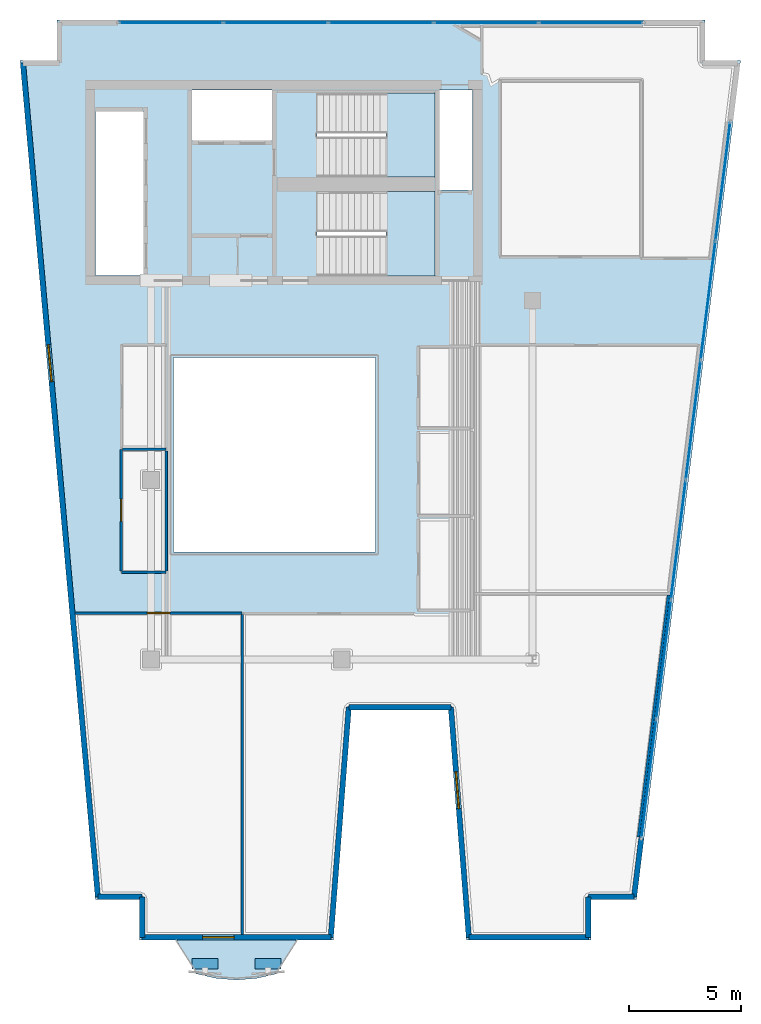
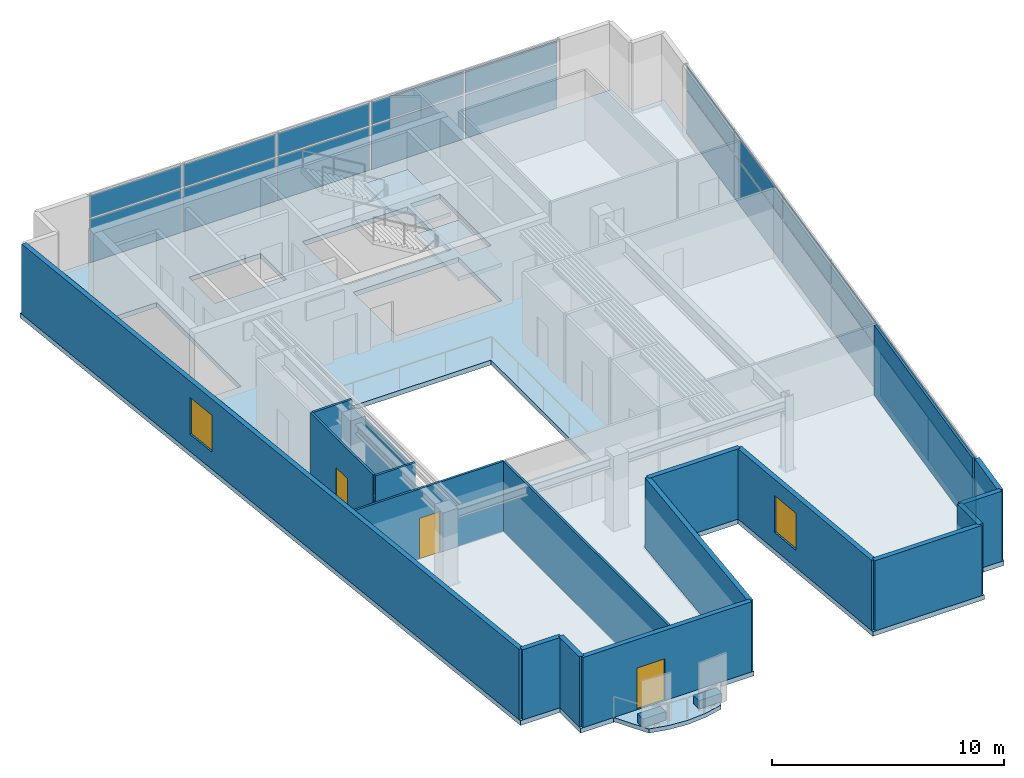
# One storey, part 3 of 7: 24 plates, 18 walls, 4 slabs, 3 doors, 2 windows, 5 openings, 4 elements without a shape of their own.
"""IFC4 building model written with IfcOpenShell, lengths in metres."""

from ifc_helpers import new_model, si_unit, direction, frame, frame_2d, origin, origin_2d, place, context, subcontext, project, spatial, polyline, rectangle, outline, extrude, material, layer, layer_set, type_object, element, fill, aggregate, save


model = new_model("IFC4")

# Units and contexts
model_context = context("Model", 3, precision=1e-05, world=origin(), true_north=direction((0.0, 1.0)))
body_context = subcontext(model_context, "Body", "Model", "MODEL_VIEW")
ifc_project = project(units=[si_unit("LENGTHUNIT", "METRE"), si_unit("AREAUNIT", "SQUARE_METRE"), si_unit("VOLUMEUNIT", "CUBIC_METRE"), si_unit("PLANEANGLEUNIT", "RADIAN"), si_unit("MASSUNIT", "GRAM", prefix="KILO")], contexts=[model_context])

# Site, building, storey
site_placement = place(None, origin())
site = spatial("IfcSite", under=ifc_project, at=site_placement, CompositionType="ELEMENT")
building_placement = place(site_placement, origin())
building = spatial("IfcBuilding", under=site, at=building_placement, Name="Caeloran Harvest Quay", CompositionType="ELEMENT")
storey_placement = place(building_placement, frame((0.0, 0.0, 264.60009765625)))
storey = spatial("IfcBuildingStorey", under=building, at=storey_placement, Name="L63", CompositionType="ELEMENT", Elevation=264.60009765625)

# Slab
ifc_material_1 = material(Name="Concrete C50/60", Category="concrete")
ifc_layer_1 = layer(ifc_material_1, 0.219970703125, Name="Concrete C50/60")
ifc_layer_set_1 = layer_set([ifc_layer_1], Name="Concrete C50/60")
slab_type_1 = type_object("IfcSlabType", Name="BALCONY-BL-220", PredefinedType="FLOOR", material=ifc_layer_set_1)
slab_1_placement = place(storey_placement, frame((0.0, 0.0, -0.22021484375)))
element("IfcSlab", 1, at=slab_1_placement, inside=storey, type_object=slab_type_1, Name="L63 Scalloped Cantilevered Planted Balcony Slab", PredefinedType="FLOOR", context=body_context, shape_type="SweptSolid", body=[
    extrude(outline(polyline([(14.103515625, 0.992919921875), (13.20654296875, 0.789794921875), (12.3095703125, 0.7158203125), (11.41259765625, 0.789794921875), (10.515380859375, 0.992919921875), (9.630126953125, 2.5), (14.98876953125, 2.5), (14.103515625, 0.992919921875)])), origin(), (0.0, 0.0, 1.0), 0.22021484375),
])

# Curtain wall, plates
ifc_material_2 = material(Name="Aluminium 6063-T6 and Low-E Glazing", Category="aluminium")
ifc_layer_2 = layer(ifc_material_2, 0.219970703125, Name="Aluminium 6063-T6 and Low-E Glazing")
ifc_layer_set_2 = layer_set([ifc_layer_2], Name="Aluminium 6063-T6 and Low-E Glazing")
curtain_wall_type = type_object("IfcCurtainWallType", Name="CW-SYS-CW-5", PredefinedType="USERDEFINED", material=ifc_layer_set_2)
curtain_wall_1_placement = place(storey_placement, origin())
curtain_wall_1 = element("IfcCurtainWall", 2, at=curtain_wall_1_placement, inside=storey, type_object=curtain_wall_type, Name="L63 Unitised Curtain Wall CW-5 Run 6", ObjectType="CURTAIN_WALL", PredefinedType="USERDEFINED")
ifc_material_3 = material(Name="Low-E Double Glazed Vision Glass Unit", Category="glass")
ifc_layer_3 = layer(ifc_material_3, 0.035888671875, Name="Low-E Double Glazed Vision Glass Unit")
ifc_layer_set_3 = layer_set([ifc_layer_3], Name="Low-E Double Glazed Vision Glass Unit")
plate_type_1 = type_object("IfcPlateType", Name="CW-VISION-PANEL", PredefinedType="CURTAIN_PANEL", material=ifc_layer_set_3)
plate_1_placement = place(storey_placement, frame((9.385986328125, 43.3798828125, 0.080078125), z_axis=(0.0, 0.0, 1.0), x_axis=(1.0, 0.0, 0.0)))
plate_1 = element("IfcPlate", 3, at=plate_1_placement, type_object=plate_type_1, Name="CW-5 panel 1.1", PredefinedType="CURTAIN_PANEL", context=body_context, shape_type="SweptSolid", body=[
    extrude(rectangle(XDim=4.572021484375, YDim=0.035888671875, at=origin_2d()), origin(), (0.0, 0.0, 1.0), 2.280029296875),
])
plate_2_placement = place(storey_placement, frame((9.385986328125, 43.3798828125, 2.43994140625), z_axis=(0.0, 0.0, 1.0), x_axis=(1.0, 0.0, 0.0)))
plate_2 = element("IfcPlate", 4, at=plate_2_placement, type_object=plate_type_1, Name="CW-5 panel 1.2", PredefinedType="CURTAIN_PANEL", context=body_context, shape_type="SweptSolid", body=[
    extrude(rectangle(XDim=4.572021484375, YDim=0.035888671875, at=origin_2d()), origin(), (0.0, 0.0, 1.0), 1.179931640625),
])
plate_3_placement = place(storey_placement, frame((14.05810546875, 43.3798828125, 0.080078125), z_axis=(0.0, 0.0, 1.0), x_axis=(1.0, 0.0, 0.0)))
plate_3 = element("IfcPlate", 5, at=plate_3_placement, type_object=plate_type_1, Name="CW-5 panel 2.1", PredefinedType="CURTAIN_PANEL", context=body_context, shape_type="SweptSolid", body=[
    extrude(rectangle(XDim=4.612060546875, YDim=0.035888671875, at=origin_2d()), origin(), (0.0, 0.0, 1.0), 2.280029296875),
])
plate_4_placement = place(storey_placement, frame((14.05810546875, 43.3798828125, 2.43994140625), z_axis=(0.0, 0.0, 1.0), x_axis=(1.0, 0.0, 0.0)))
plate_4 = element("IfcPlate", 6, at=plate_4_placement, type_object=plate_type_1, Name="CW-5 panel 2.2", PredefinedType="CURTAIN_PANEL", context=body_context, shape_type="SweptSolid", body=[
    extrude(rectangle(XDim=4.612060546875, YDim=0.035888671875, at=origin_2d()), origin(), (0.0, 0.0, 1.0), 1.179931640625),
])
plate_5_placement = place(storey_placement, frame((18.75, 43.3798828125, 0.080078125), z_axis=(0.0, 0.0, 1.0), x_axis=(1.0, 0.0, 0.0)))
plate_5 = element("IfcPlate", 7, at=plate_5_placement, type_object=plate_type_1, Name="CW-5 panel 3.1", PredefinedType="CURTAIN_PANEL", context=body_context, shape_type="SweptSolid", body=[
    extrude(rectangle(XDim=4.612060546875, YDim=0.035888671875, at=origin_2d()), origin(), (0.0, 0.0, 1.0), 2.280029296875),
])
plate_6_placement = place(storey_placement, frame((18.75, 43.3798828125, 2.43994140625), z_axis=(0.0, 0.0, 1.0), x_axis=(1.0, 0.0, 0.0)))
plate_6 = element("IfcPlate", 8, at=plate_6_placement, type_object=plate_type_1, Name="CW-5 panel 3.2", PredefinedType="CURTAIN_PANEL", context=body_context, shape_type="SweptSolid", body=[
    extrude(rectangle(XDim=4.612060546875, YDim=0.035888671875, at=origin_2d()), origin(), (0.0, 0.0, 1.0), 1.179931640625),
])
plate_7_placement = place(storey_placement, frame((23.44189453125, 43.3798828125, 0.080078125), z_axis=(0.0, 0.0, 1.0), x_axis=(1.0, 0.0, 0.0)))
plate_7 = element("IfcPlate", 9, at=plate_7_placement, type_object=plate_type_1, Name="CW-5 panel 4.1", PredefinedType="CURTAIN_PANEL", context=body_context, shape_type="SweptSolid", body=[
    extrude(rectangle(XDim=4.612060546875, YDim=0.035888671875, at=origin_2d()), origin(), (0.0, 0.0, 1.0), 2.280029296875),
])
plate_8_placement = place(storey_placement, frame((23.44189453125, 43.3798828125, 2.43994140625), z_axis=(0.0, 0.0, 1.0), x_axis=(1.0, 0.0, 0.0)))
plate_8 = element("IfcPlate", 10, at=plate_8_placement, type_object=plate_type_1, Name="CW-5 panel 4.2", PredefinedType="CURTAIN_PANEL", context=body_context, shape_type="SweptSolid", body=[
    extrude(rectangle(XDim=4.612060546875, YDim=0.035888671875, at=origin_2d()), origin(), (0.0, 0.0, 1.0), 1.179931640625),
])
plate_9_placement = place(storey_placement, frame((28.114013671875, 43.3798828125, 0.080078125), z_axis=(0.0, 0.0, 1.0), x_axis=(1.0, 0.0, 0.0)))
plate_9 = element("IfcPlate", 11, at=plate_9_placement, type_object=plate_type_1, Name="CW-5 panel 5.1", PredefinedType="CURTAIN_PANEL", context=body_context, shape_type="SweptSolid", body=[
    extrude(rectangle(XDim=4.572021484375, YDim=0.035888671875, at=origin_2d()), origin(), (0.0, 0.0, 1.0), 2.280029296875),
])
plate_10_placement = place(storey_placement, frame((28.114013671875, 43.3798828125, 2.43994140625), z_axis=(0.0, 0.0, 1.0), x_axis=(1.0, 0.0, 0.0)))
plate_10 = element("IfcPlate", 12, at=plate_10_placement, type_object=plate_type_1, Name="CW-5 panel 5.2", PredefinedType="CURTAIN_PANEL", context=body_context, shape_type="SweptSolid", body=[
    extrude(rectangle(XDim=4.572021484375, YDim=0.035888671875, at=origin_2d()), origin(), (0.0, 0.0, 1.0), 1.179931640625),
])
aggregate(curtain_wall_1, [plate_1, plate_2, plate_3, plate_4, plate_5, plate_6, plate_7, plate_8, plate_9, plate_10])

curtain_wall_2_placement = place(storey_placement, origin())
curtain_wall_2 = element("IfcCurtainWall", 13, at=curtain_wall_2_placement, inside=storey, type_object=curtain_wall_type, Name="L63 Unitised Curtain Wall CW-5 Run 9", ObjectType="CURTAIN_WALL", PredefinedType="USERDEFINED")
plate_11_placement = place(storey_placement, frame((33.987060546875, 36.313232421875, 0.080078125), z_axis=(0.0, 0.0, 1.0), x_axis=(-0.123190390176, -0.992383054958, 0.0)))
plate_11 = element("IfcPlate", 14, at=plate_11_placement, type_object=plate_type_1, Name="CW-5 panel 1.1", PredefinedType="CURTAIN_PANEL", context=body_context, shape_type="SweptSolid", body=[
    extrude(rectangle(XDim=5.254150390625, YDim=0.035888671875, at=origin_2d()), origin(), (0.0, 0.0, 1.0), 2.280029296875),
])
plate_12_placement = place(storey_placement, frame((33.987060546875, 36.313232421875, 2.43994140625), z_axis=(0.0, 0.0, 1.0), x_axis=(-0.123190390176, -0.992383054958, 0.0)))
plate_12 = element("IfcPlate", 15, at=plate_12_placement, type_object=plate_type_1, Name="CW-5 panel 1.2", PredefinedType="CURTAIN_PANEL", context=body_context, shape_type="SweptSolid", body=[
    extrude(rectangle(XDim=5.254150390625, YDim=0.035888671875, at=origin_2d()), origin(), (0.0, 0.0, 1.0), 1.179931640625),
])
plate_13_placement = place(storey_placement, frame((33.327392578125, 31.0, 0.080078125), z_axis=(0.0, 0.0, 1.0), x_axis=(-0.123190390176, -0.992383054958, 0.0)))
plate_13 = element("IfcPlate", 16, at=plate_13_placement, type_object=plate_type_1, Name="CW-5 panel 2.1", PredefinedType="CURTAIN_PANEL", context=body_context, shape_type="SweptSolid", body=[
    extrude(rectangle(XDim=5.294189453125, YDim=0.035888671875, at=origin_2d()), origin(), (0.0, 0.0, 1.0), 2.280029296875),
])
plate_14_placement = place(storey_placement, frame((33.327392578125, 31.0, 2.43994140625), z_axis=(0.0, 0.0, 1.0), x_axis=(-0.123190390176, -0.992383054958, 0.0)))
plate_14 = element("IfcPlate", 17, at=plate_14_placement, type_object=plate_type_1, Name="CW-5 panel 2.2", PredefinedType="CURTAIN_PANEL", context=body_context, shape_type="SweptSolid", body=[
    extrude(rectangle(XDim=5.294189453125, YDim=0.035888671875, at=origin_2d()), origin(), (0.0, 0.0, 1.0), 1.179931640625),
])
plate_15_placement = place(storey_placement, frame((32.665283203125, 25.666748046875, 0.080078125), z_axis=(0.0, 0.0, 1.0), x_axis=(-0.123190390176, -0.992383054958, 0.0)))
plate_15 = element("IfcPlate", 18, at=plate_15_placement, type_object=plate_type_1, Name="CW-5 panel 3.1", PredefinedType="CURTAIN_PANEL", context=body_context, shape_type="SweptSolid", body=[
    extrude(rectangle(XDim=5.294189453125, YDim=0.035888671875, at=origin_2d()), origin(), (0.0, 0.0, 1.0), 2.280029296875),
])
plate_16_placement = place(storey_placement, frame((32.665283203125, 25.666748046875, 2.43994140625), z_axis=(0.0, 0.0, 1.0), x_axis=(-0.123190390176, -0.992383054958, 0.0)))
plate_16 = element("IfcPlate", 19, at=plate_16_placement, type_object=plate_type_1, Name="CW-5 panel 3.2", PredefinedType="CURTAIN_PANEL", context=body_context, shape_type="SweptSolid", body=[
    extrude(rectangle(XDim=5.294189453125, YDim=0.035888671875, at=origin_2d()), origin(), (0.0, 0.0, 1.0), 1.179931640625),
])
plate_17_placement = place(storey_placement, frame((32.00341796875, 20.333251953125, 0.080078125), z_axis=(0.0, 0.0, 1.0), x_axis=(-0.123190390176, -0.992383054958, 0.0)))
plate_17 = element("IfcPlate", 20, at=plate_17_placement, type_object=plate_type_1, Name="CW-5 panel 4.1", PredefinedType="CURTAIN_PANEL", context=body_context, shape_type="SweptSolid", body=[
    extrude(rectangle(XDim=5.294189453125, YDim=0.035888671875, at=origin_2d()), origin(), (0.0, 0.0, 1.0), 2.280029296875),
])
plate_18_placement = place(storey_placement, frame((32.00341796875, 20.333251953125, 2.43994140625), z_axis=(0.0, 0.0, 1.0), x_axis=(-0.123190390176, -0.992383054958, 0.0)))
plate_18 = element("IfcPlate", 21, at=plate_18_placement, type_object=plate_type_1, Name="CW-5 panel 4.2", PredefinedType="CURTAIN_PANEL", context=body_context, shape_type="SweptSolid", body=[
    extrude(rectangle(XDim=5.294189453125, YDim=0.035888671875, at=origin_2d()), origin(), (0.0, 0.0, 1.0), 1.179931640625),
])
plate_19_placement = place(storey_placement, frame((31.34130859375, 15.0, 0.080078125), z_axis=(0.0, 0.0, 1.0), x_axis=(-0.123190390176, -0.992383054958, 0.0)))
plate_19 = element("IfcPlate", 22, at=plate_19_placement, type_object=plate_type_1, Name="CW-5 panel 5.1", PredefinedType="CURTAIN_PANEL", context=body_context, shape_type="SweptSolid", body=[
    extrude(rectangle(XDim=5.294189453125, YDim=0.035888671875, at=origin_2d()), origin(), (0.0, 0.0, 1.0), 2.280029296875),
])
plate_20_placement = place(storey_placement, frame((31.34130859375, 15.0, 2.43994140625), z_axis=(0.0, 0.0, 1.0), x_axis=(-0.123190390176, -0.992383054958, 0.0)))
plate_20 = element("IfcPlate", 23, at=plate_20_placement, type_object=plate_type_1, Name="CW-5 panel 5.2", PredefinedType="CURTAIN_PANEL", context=body_context, shape_type="SweptSolid", body=[
    extrude(rectangle(XDim=5.294189453125, YDim=0.035888671875, at=origin_2d()), origin(), (0.0, 0.0, 1.0), 1.179931640625),
])
plate_21_placement = place(storey_placement, frame((30.681640625, 9.686767578125, 0.080078125), z_axis=(0.0, 0.0, 1.0), x_axis=(-0.123190390176, -0.992383054958, 0.0)))
plate_21 = element("IfcPlate", 24, at=plate_21_placement, type_object=plate_type_1, Name="CW-5 panel 6.1", PredefinedType="CURTAIN_PANEL", context=body_context, shape_type="SweptSolid", body=[
    extrude(rectangle(XDim=5.254150390625, YDim=0.035888671875, at=origin_2d()), origin(), (0.0, 0.0, 1.0), 2.280029296875),
])
plate_22_placement = place(storey_placement, frame((30.681640625, 9.686767578125, 2.43994140625), z_axis=(0.0, 0.0, 1.0), x_axis=(-0.123190390176, -0.992383054958, 0.0)))
plate_22 = element("IfcPlate", 25, at=plate_22_placement, type_object=plate_type_1, Name="CW-5 panel 6.2", PredefinedType="CURTAIN_PANEL", context=body_context, shape_type="SweptSolid", body=[
    extrude(rectangle(XDim=5.254150390625, YDim=0.035888671875, at=origin_2d()), origin(), (0.0, 0.0, 1.0), 1.179931640625),
])
aggregate(curtain_wall_2, [plate_11, plate_12, plate_13, plate_14, plate_15, plate_16, plate_17, plate_18, plate_19, plate_20, plate_21, plate_22])

# Plates
ifc_material_4 = material(Name="Precast concrete C50/60", Category="concrete")
ifc_layer_4 = layer(ifc_material_4, 0.449951171875, Name="Precast concrete C50/60")
ifc_layer_set_4 = layer_set([ifc_layer_4], Name="Precast concrete C50/60")
plate_type_2 = type_object("IfcPlateType", Name="PLANTER-TROUGH-450", PredefinedType="USERDEFINED", material=ifc_layer_set_4)
for number, where, z_axis, x_axis, name in (
    (26, (13.708740234375, 1.439208984375, 0.0), (0.0, 0.0, 1.0), (1.0, 0.0, 0.0), "L63 Balcony Vertical-Greenery Precast PLANTER Trough 1"),
    (27, (10.91015625, 1.439208984375, 0.0), (0.0, 0.0, 1.0), (1.0, 0.0, 0.0), "L63 Balcony Vertical-Greenery Precast PLANTER Trough 2"),
):
    element("IfcPlate", number, at=place(storey_placement, frame(where, z_axis=z_axis, x_axis=x_axis)), inside=storey, type_object=plate_type_2, Name=name, ObjectType="PLANTER", PredefinedType="USERDEFINED", context=body_context, shape_type="SweptSolid", body=[
        extrude(rectangle(XDim=1.14990234375, YDim=0.47998046875, at=origin_2d()), origin(), (0.0, 0.0, 1.0), 0.449951171875),
    ])

# Slab
ifc_layer_5 = layer(ifc_material_1, 0.25, Name="Concrete C50/60")
ifc_layer_set_5 = layer_set([ifc_layer_5], Name="Concrete C50/60")
slab_type_2 = type_object("IfcSlabType", Name="SLAB-FS-250", PredefinedType="FLOOR", material=ifc_layer_set_5)
slab_2_placement = place(storey_placement, frame((0.0, 0.0, -0.25)))
element("IfcSlab", 28, at=slab_2_placement, inside=storey, type_object=slab_type_2, Name="L63 Structural Floor Slab", PredefinedType="FLOOR", context=body_context, shape_type="SweptSolid", body=[
    extrude(outline(polyline([(7.985595703125, 2.5), (16.62451171875, 2.5), (17.424560546875, 12.75), (21.755615234375, 12.75), (22.5556640625, 2.5), (28.110595703125, 2.5), (28.110595703125, 4.300048828125), (30.1337890625, 4.300048828125), (34.776611328125, 41.699951171875), (33.199951171875, 41.699951171875), (33.199951171875, 43.5), (4.300048828125, 43.5), (4.300048828125, 41.699951171875), (2.661865234375, 41.699951171875), (6.023681640625, 4.300048828125), (7.985595703125, 4.300048828125), (7.985595703125, 2.5)]), holes=[polyline([(18.5, 28.449951171875), (18.5, 19.800048828125), (9.5, 19.800048828125), (9.5, 28.449951171875), (18.5, 28.449951171875)]), polyline([(15.89990234375, 32.10009765625), (15.89990234375, 35.85009765625), (21.14990234375, 35.85009765625), (21.14990234375, 32.10009765625), (15.89990234375, 32.10009765625)]), polyline([(8.159912109375, 32.1201171875), (6.02001953125, 32.1201171875), (6.02001953125, 39.419921875), (8.159912109375, 39.419921875), (8.159912109375, 32.1201171875)]), polyline([(22.830078125, 40.3798828125), (22.830078125, 35.919921875), (21.35009765625, 35.919921875), (21.35009765625, 40.3798828125), (22.830078125, 40.3798828125)]), polyline([(15.89990234375, 36.5), (15.89990234375, 40.25), (21.14990234375, 40.25), (21.14990234375, 36.5), (15.89990234375, 36.5)]), polyline([(13.89990234375, 38.1201171875), (10.320068359375, 38.1201171875), (10.320068359375, 40.3798828125), (13.89990234375, 40.3798828125), (13.89990234375, 38.1201171875)])]), origin(), (0.0, 0.0, 1.0), 0.25),
])

# Stair, slab
stair_type = type_object("IfcStairType", Name="STAIR-STC-180", PredefinedType="HALF_TURN_STAIR", material=ifc_material_1)
stair_1_placement = place(storey_placement, origin())
stair_1 = element("IfcStair", 29, at=stair_1_placement, inside=storey, type_object=stair_type, Name="L63 Core Pressurized Exit Stair ST-C1", PredefinedType="HALF_TURN_STAIR")
ifc_layer_6 = layer(ifc_material_1, 0.219970703125, Name="Concrete C50/60")
ifc_layer_set_6 = layer_set([ifc_layer_6], Name="Concrete C50/60")
slab_type_3 = type_object("IfcSlabType", Name="STAIR-LANDING-220", PredefinedType="LANDING", material=ifc_layer_set_6)
slab_3_placement = place(storey_placement, frame((0.0, 0.0, 1.77490234375)))
slab_3 = element("IfcSlab", 30, at=slab_3_placement, type_object=slab_type_3, Name="ST-C1 landing 1", PredefinedType="LANDING", context=body_context, shape_type="SweptSolid", body=[
    extrude(outline(polyline([(18.97998046875, 36.5), (21.14990234375, 36.5), (21.14990234375, 40.25), (18.97998046875, 40.25), (18.97998046875, 36.5)])), origin(), (0.0, 0.0, 1.0), 0.199951171875),
])
aggregate(stair_1, [slab_3])

stair_2_placement = place(storey_placement, origin())
stair_2 = element("IfcStair", 31, at=stair_2_placement, inside=storey, type_object=stair_type, Name="L63 Core Pressurized Exit Stair ST-C2", PredefinedType="HALF_TURN_STAIR")
slab_4_placement = place(storey_placement, frame((0.0, 0.0, 1.77490234375)))
slab_4 = element("IfcSlab", 32, at=slab_4_placement, type_object=slab_type_3, Name="ST-C2 landing 1", PredefinedType="LANDING", context=body_context, shape_type="SweptSolid", body=[
    extrude(outline(polyline([(18.97998046875, 32.10009765625), (21.14990234375, 32.10009765625), (21.14990234375, 35.85009765625), (18.97998046875, 35.85009765625), (18.97998046875, 32.10009765625)])), origin(), (0.0, 0.0, 1.0), 0.199951171875),
])
aggregate(stair_2, [slab_4])

# Walls
ifc_layer_7 = layer(ifc_material_4, 0.239990234375, Name="Precast concrete C50/60")
ifc_layer_set_7 = layer_set([ifc_layer_7], Name="Precast concrete C50/60")
wall_type_1 = type_object("IfcWallType", Name="ENV-WALL-EW-240", PredefinedType="STANDARD", material=ifc_layer_set_7)
wall_1_placement = place(storey_placement, frame((8.10546875, 2.6201171875, 0.0), z_axis=(0.0, 0.0, 1.0), x_axis=(0.0, 1.0, 0.0)))
element("IfcWall", 33, at=wall_1_placement, inside=storey, type_object=wall_type_1, Name="L63 Exterior Precast Concrete Facade Wall 1", PredefinedType="STANDARD", context=body_context, shape_type="SweptSolid", body=[
    extrude(rectangle(XDim=1.7998046875, YDim=0.239990234375, at=frame_2d((0.89990234375, 0.0))), origin(), (0.0, 0.0, 1.0), 3.699951171875),
])
wall_2_placement = place(storey_placement, frame((8.10546875, 4.419921875, 0.0), z_axis=(0.0, 0.0, 1.0), x_axis=(-1.0, 0.0, 0.0)))
element("IfcWall", 34, at=wall_2_placement, inside=storey, type_object=wall_type_1, Name="L63 Exterior Precast Concrete Facade Wall 2", PredefinedType="STANDARD", context=body_context, shape_type="SweptSolid", body=[
    extrude(rectangle(XDim=1.97216796875, YDim=0.239990234375, at=frame_2d((0.986083984375, 0.0))), origin(), (0.0, 0.0, 1.0), 3.699951171875),
])

# Wall, opening, window
wall_3_placement = place(storey_placement, frame((6.13330078125, 4.419921875, 0.0), z_axis=(0.0, 0.0, 1.0), x_axis=(-0.089522678378, 0.995984784048, 0.0)))
wall_3 = element("IfcWall", 35, at=wall_3_placement, inside=storey, type_object=wall_type_1, Name="L63 Exterior Precast Concrete Facade Wall 3", PredefinedType="STANDARD", context=body_context, shape_type="SweptSolid", body=[
    extrude(rectangle(XDim=37.31005859375, YDim=0.239990234375, at=frame_2d((18.655029296875, 0.0))), origin(), (0.0, 0.0, 1.0), 3.699951171875),
])
opening_1_placement = place(wall_3_placement, frame((23.052978515625, 0.0, 0.89990234375)))
opening_1 = element("IfcOpeningElement", 36, at=opening_1_placement, cuts=wall_3, Name="Opening W-08", PredefinedType="OPENING", context=body_context, shape_type="SweptSolid", body=[
    extrude(rectangle(XDim=1.64990234375, YDim=1.949951171875, at=frame_2d((0.824951171875, 0.97509765625))), frame((0.0, 0.1298828125, 0.0), z_axis=(0.0, -1.0, 0.0), x_axis=(1.0, 0.0, 0.0)), (0.0, 0.0, 1.0), 0.260009765625),
])
ifc_material_5 = material(Name="Aluminium-Framed Low-E Laminated Glass", Category="aluminium")
window_type = type_object("IfcWindowType", Name="WIN-W-08", PartitioningType="SINGLE_PANEL", PredefinedType="WINDOW", material=ifc_material_5)
window_1_placement = place(opening_1_placement, origin())
window_1 = element("IfcWindow", 37, at=window_1_placement, inside=storey, type_object=window_type, Name="L63 Facade Punched Window W-08", OverallHeight=1.949951171875, OverallWidth=1.64990234375, PartitioningType="SINGLE_PANEL", PredefinedType="WINDOW", context=body_context, shape_type="SweptSolid", body=[
    extrude(rectangle(XDim=1.64990234375, YDim=1.949951171875, at=frame_2d((0.824951171875, 0.97509765625))), frame((0.0, 0.030029296875, 0.0), z_axis=(0.0, -1.0, 0.0), x_axis=(1.0, 0.0, 0.0)), (0.0, 0.0, 1.0), 0.06005859375),
])
fill(opening_1, window_1)

# Walls
wall_4_placement = place(storey_placement, frame((30.34814453125, 7.000244140625, 0.0), z_axis=(0.0, 0.0, 1.0), x_axis=(-0.123191073593, -0.992382970121, 0.0)))
element("IfcWall", 38, at=wall_4_placement, inside=storey, type_object=wall_type_1, Name="L63 Exterior Facade Corner Pier Wall 9B", PredefinedType="STANDARD", context=body_context, shape_type="SweptSolid", body=[
    extrude(rectangle(XDim=2.60009765625, YDim=0.239990234375, at=frame_2d((1.300048828125, 0.0))), origin(), (0.0, 0.0, 1.0), 3.699951171875),
])
wall_5_placement = place(storey_placement, frame((30.02783203125, 4.419921875, 0.0), z_axis=(0.0, 0.0, 1.0), x_axis=(-1.0, 0.0, 0.0)))
element("IfcWall", 39, at=wall_5_placement, inside=storey, type_object=wall_type_1, Name="L63 Exterior Precast Concrete Facade Wall 10", PredefinedType="STANDARD", context=body_context, shape_type="SweptSolid", body=[
    extrude(rectangle(XDim=2.037353515625, YDim=0.239990234375, at=frame_2d((1.0185546875, 0.0))), origin(), (0.0, 0.0, 1.0), 3.699951171875),
])
wall_6_placement = place(storey_placement, frame((27.990478515625, 4.419921875, 0.0), z_axis=(0.0, 0.0, 1.0), x_axis=(0.0, -1.0, 0.0)))
element("IfcWall", 40, at=wall_6_placement, inside=storey, type_object=wall_type_1, Name="L63 Exterior Precast Concrete Facade Wall 11", PredefinedType="STANDARD", context=body_context, shape_type="SweptSolid", body=[
    extrude(rectangle(XDim=1.7998046875, YDim=0.239990234375, at=frame_2d((0.89990234375, 0.0))), origin(), (0.0, 0.0, 1.0), 3.699951171875),
])
wall_7_placement = place(storey_placement, frame((27.990478515625, 2.6201171875, 0.0), z_axis=(0.0, 0.0, 1.0), x_axis=(-1.0, 0.0, 0.0)))
element("IfcWall", 41, at=wall_7_placement, inside=storey, type_object=wall_type_1, Name="L63 Exterior Precast Concrete Facade Wall 12", PredefinedType="STANDARD", context=body_context, shape_type="SweptSolid", body=[
    extrude(rectangle(XDim=5.32373046875, YDim=0.239990234375, at=frame_2d((2.661865234375, 0.0))), origin(), (0.0, 0.0, 1.0), 3.699951171875),
])

# Wall, opening, window
wall_8_placement = place(storey_placement, frame((22.666748046875, 2.6201171875, 0.0), z_axis=(0.0, 0.0, 1.0), x_axis=(-0.077816860153, 0.996967670627, 0.0)))
wall_8 = element("IfcWall", 42, at=wall_8_placement, inside=storey, type_object=wall_type_1, Name="L63 Exterior Precast Concrete Facade Wall 13", PredefinedType="STANDARD", context=body_context, shape_type="SweptSolid", body=[
    extrude(rectangle(XDim=10.28125, YDim=0.239990234375, at=frame_2d((5.140625, 0.0))), origin(), (0.0, 0.0, 1.0), 3.699951171875),
])
opening_2_placement = place(wall_8_placement, frame((5.7548828125, 0.0, 0.89990234375)))
opening_2 = element("IfcOpeningElement", 43, at=opening_2_placement, cuts=wall_8, Name="Opening W-08", PredefinedType="OPENING", context=body_context, shape_type="SweptSolid", body=[
    extrude(rectangle(XDim=1.64990234375, YDim=1.949951171875, at=frame_2d((0.824951171875, 0.97509765625))), frame((0.0, 0.1298828125, 0.0), z_axis=(0.0, -1.0, 0.0), x_axis=(1.0, 0.0, 0.0)), (0.0, 0.0, 1.0), 0.260009765625),
])
window_2_placement = place(opening_2_placement, origin())
window_2 = element("IfcWindow", 44, at=window_2_placement, inside=storey, type_object=window_type, Name="L63 Facade Punched Window W-08", OverallHeight=1.949951171875, OverallWidth=1.64990234375, PartitioningType="SINGLE_PANEL", PredefinedType="WINDOW", context=body_context, shape_type="SweptSolid", body=[
    extrude(rectangle(XDim=1.64990234375, YDim=1.949951171875, at=frame_2d((0.824951171875, 0.97509765625))), frame((0.0, 0.030029296875, 0.0), z_axis=(0.0, -1.0, 0.0), x_axis=(1.0, 0.0, 0.0)), (0.0, 0.0, 1.0), 0.06005859375),
])
fill(opening_2, window_2)

# Walls
wall_9_placement = place(storey_placement, frame((21.86669921875, 12.8701171875, 0.0), z_axis=(0.0, 0.0, 1.0), x_axis=(-1.0, 0.0, 0.0)))
element("IfcWall", 45, at=wall_9_placement, inside=storey, type_object=wall_type_1, Name="L63 Exterior Precast Concrete Facade Wall 14", PredefinedType="STANDARD", context=body_context, shape_type="SweptSolid", body=[
    extrude(rectangle(XDim=4.55322265625, YDim=0.239990234375, at=frame_2d((2.276611328125, 0.0))), origin(), (0.0, 0.0, 1.0), 3.699951171875),
])
wall_10_placement = place(storey_placement, frame((17.3134765625, 12.8701171875, 0.0), z_axis=(0.0, 0.0, 1.0), x_axis=(-0.077816860153, -0.996967670627, 0.0)))
element("IfcWall", 46, at=wall_10_placement, inside=storey, type_object=wall_type_1, Name="L63 Exterior Precast Concrete Facade Wall 15", PredefinedType="STANDARD", context=body_context, shape_type="SweptSolid", body=[
    extrude(rectangle(XDim=10.28125, YDim=0.239990234375, at=frame_2d((5.140625, 0.0))), origin(), (0.0, 0.0, 1.0), 3.699951171875),
])

# Wall, opening, door
wall_11_placement = place(storey_placement, frame((16.513427734375, 2.6201171875, 0.0), z_axis=(0.0, 0.0, 1.0), x_axis=(-1.0, 0.0, 0.0)))
wall_11 = element("IfcWall", 47, at=wall_11_placement, inside=storey, type_object=wall_type_1, Name="L63 Exterior Precast Concrete Facade Wall 16", PredefinedType="STANDARD", context=body_context, shape_type="SweptSolid", body=[
    extrude(rectangle(XDim=8.407958984375, YDim=0.239990234375, at=frame_2d((4.2041015625, 0.0))), origin(), (0.0, 0.0, 1.0), 3.699951171875),
])
opening_3_placement = place(wall_11_placement, frame((4.31103515625, 0.0, 0.0)))
opening_3 = element("IfcOpeningElement", 48, at=opening_3_placement, cuts=wall_11, Name="Opening BD-02", PredefinedType="OPENING", context=body_context, shape_type="SweptSolid", body=[
    extrude(rectangle(XDim=1.39990234375, YDim=2.199951171875, at=frame_2d((0.699951171875, 1.10009765625))), frame((0.0, 0.1298828125, 0.0), z_axis=(0.0, -1.0, 0.0), x_axis=(1.0, 0.0, 0.0)), (0.0, 0.0, 1.0), 0.260009765625),
])
ifc_material_6 = material(Name="Thermally Broken Powder-Coated Aluminium and Safety Glass", Category="aluminium")
door_type_1 = type_object("IfcDoorType", Name="EXTDOOR-BD-02", OperationType="NOTDEFINED", PredefinedType="DOOR", material=ifc_material_6)
door_1_placement = place(opening_3_placement, origin())
door_1 = element("IfcDoor", 49, at=door_1_placement, inside=storey, type_object=door_type_1, Name="L63 Planted Balcony Glazed Access Door", OperationType="SINGLE_SWING_RIGHT", OverallHeight=2.199951171875, OverallWidth=1.39990234375, PredefinedType="DOOR", context=body_context, shape_type="SweptSolid", body=[
    extrude(rectangle(XDim=1.39990234375, YDim=2.199951171875, at=frame_2d((0.699951171875, 1.10009765625))), frame((0.0, 0.02490234375, 0.0), z_axis=(0.0, -1.0, 0.0), x_axis=(1.0, 0.0, 0.0)), (0.0, 0.0, 1.0), 0.050048828125),
])
fill(opening_3, door_1)

ifc_material_7 = material(Name="Single-Stud Acoustic Gypsum Office Partition", Category="gypsum")
ifc_layer_8 = layer(ifc_material_7, 0.112060546875, Name="Single-Stud Acoustic Gypsum Office Partition")
ifc_layer_set_8 = layer_set([ifc_layer_8], Name="Single-Stud Acoustic Gypsum Office Partition")
wall_type_2 = type_object("IfcWallType", Name="INT-WALL-PW-112", PredefinedType="PARTITIONING", material=ifc_layer_set_8)
wall_12_placement = place(storey_placement, frame((5.121826171875, 17.070068359375, 0.0), z_axis=(0.0, 0.0, 1.0), x_axis=(1.0, 0.0, 0.0)))
wall_12 = element("IfcWall", 50, at=wall_12_placement, inside=storey, type_object=wall_type_2, Name="Boutique Family-Office Chambers Partition Wall", PredefinedType="PARTITIONING", context=body_context, shape_type="SweptSolid", body=[
    extrude(rectangle(XDim=7.438232421875, YDim=0.112060546875, at=frame_2d((3.71923828125, 0.0))), origin(), (0.0, 0.0, 1.0), 3.699951171875),
])
opening_4_placement = place(wall_12_placement, frame((3.218994140625, 0.0, 0.0)))
opening_4 = element("IfcOpeningElement", 51, at=opening_4_placement, cuts=wall_12, Name="Opening ID-01", PredefinedType="OPENING", context=body_context, shape_type="SweptSolid", body=[
    extrude(rectangle(XDim=1.0, YDim=2.14990234375, at=frame_2d((0.5, 1.074951171875))), frame((0.0, 0.06591796875, 0.0), z_axis=(0.0, -1.0, 0.0), x_axis=(1.0, 0.0, 0.0)), (0.0, 0.0, 1.0), 0.132080078125),
])
ifc_material_8 = material(Name="FSC Solid-Core Ash Timber and Acoustic Seal", Category="wood")
door_type_2 = type_object("IfcDoorType", Name="INTDOOR-ID-01", OperationType="NOTDEFINED", PredefinedType="DOOR", material=ifc_material_8)
door_2_placement = place(opening_4_placement, origin())
door_2 = element("IfcDoor", 52, at=door_2_placement, inside=storey, type_object=door_type_2, Name="Boutique Family-Office Chambers Access Door", OperationType="SINGLE_SWING_RIGHT", OverallHeight=2.14990234375, OverallWidth=1.0, PredefinedType="DOOR", context=body_context, shape_type="SweptSolid", body=[
    extrude(rectangle(XDim=1.0, YDim=2.14990234375, at=frame_2d((0.5, 1.074951171875))), frame((0.0, 0.02490234375, 0.0), z_axis=(0.0, -1.0, 0.0), x_axis=(1.0, 0.0, 0.0)), (0.0, 0.0, 1.0), 0.050048828125),
])
fill(opening_4, door_2)

# Walls
wall_13_placement = place(storey_placement, frame((12.56005859375, 17.009033203125, 0.0), z_axis=(0.0, 0.0, 1.0), x_axis=(0.0, -1.0, 0.0)))
element("IfcWall", 53, at=wall_13_placement, inside=storey, type_object=wall_type_2, Name="Boutique Family-Office Chambers Partition Wall", PredefinedType="PARTITIONING", context=body_context, shape_type="SweptSolid", body=[
    extrude(rectangle(XDim=14.263916015625, YDim=0.112060546875, at=frame_2d((7.1318359375, 0.0))), origin(), (0.0, 0.0, 1.0), 3.699951171875),
])
wall_14_placement = place(storey_placement, frame((31.557373046875, 17.87890625, 0.0), z_axis=(0.0, 0.0, 1.0), x_axis=(-0.12319234905, -0.99238281179, 0.0)))
element("IfcWall", 54, at=wall_14_placement, inside=storey, type_object=wall_type_2, Name="Philanthropy Impact Office Partition Wall", PredefinedType="PARTITIONING", context=body_context, shape_type="SweptSolid", body=[
    extrude(rectangle(XDim=10.8798828125, YDim=0.112060546875, at=frame_2d((5.43994140625, 0.0))), origin(), (0.0, 0.0, 1.0), 3.699951171875),
])
wall_15_placement = place(storey_placement, frame((9.169921875, 18.8798828125, 0.0), z_axis=(0.0, 0.0, 1.0), x_axis=(-1.0, 0.0, 0.0)))
element("IfcWall", 55, at=wall_15_placement, inside=storey, type_object=wall_type_2, Name="Quantitative Strategy Laboratory Partition Wall", PredefinedType="PARTITIONING", context=body_context, shape_type="SweptSolid", body=[
    extrude(rectangle(XDim=1.989990234375, YDim=0.112060546875, at=frame_2d((0.9951171875, 0.0))), origin(), (0.0, 0.0, 1.0), 3.699951171875),
])

# Wall, opening, door
wall_16_placement = place(storey_placement, frame((7.179931640625, 18.94091796875, 0.0), z_axis=(0.0, 0.0, 1.0), x_axis=(0.0, 1.0, 0.0)))
wall_16 = element("IfcWall", 56, at=wall_16_placement, inside=storey, type_object=wall_type_2, Name="Quantitative Strategy Laboratory Partition Wall", PredefinedType="PARTITIONING", context=body_context, shape_type="SweptSolid", body=[
    extrude(rectangle(XDim=5.419189453125, YDim=0.112060546875, at=frame_2d((2.70947265625, 0.0))), origin(), (0.0, 0.0, 1.0), 3.699951171875),
])
opening_5_placement = place(wall_16_placement, frame((2.20947265625, 0.0, 0.0)))
opening_5 = element("IfcOpeningElement", 57, at=opening_5_placement, cuts=wall_16, Name="Opening ID-01", PredefinedType="OPENING", context=body_context, shape_type="SweptSolid", body=[
    extrude(rectangle(XDim=1.0, YDim=2.14990234375, at=frame_2d((0.5, 1.074951171875))), frame((0.0, 0.06591796875, 0.0), z_axis=(0.0, -1.0, 0.0), x_axis=(1.0, 0.0, 0.0)), (0.0, 0.0, 1.0), 0.132080078125),
])
door_3_placement = place(opening_5_placement, origin())
door_3 = element("IfcDoor", 58, at=door_3_placement, inside=storey, type_object=door_type_2, Name="Quantitative Strategy Laboratory Access Door", OperationType="SINGLE_SWING_RIGHT", OverallHeight=2.14990234375, OverallWidth=1.0, PredefinedType="DOOR", context=body_context, shape_type="SweptSolid", body=[
    extrude(rectangle(XDim=1.0, YDim=2.14990234375, at=frame_2d((0.5, 1.074951171875))), frame((0.0, 0.02490234375, 0.0), z_axis=(0.0, -1.0, 0.0), x_axis=(1.0, 0.0, 0.0)), (0.0, 0.0, 1.0), 0.050048828125),
])
fill(opening_5, door_3)

# Walls
wall_17_placement = place(storey_placement, frame((7.240966796875, 24.360107421875, 0.0), z_axis=(0.0, 0.0, 1.0), x_axis=(1.0, 0.0, 0.0)))
element("IfcWall", 59, at=wall_17_placement, inside=storey, type_object=wall_type_2, Name="Quantitative Strategy Laboratory Partition Wall", PredefinedType="PARTITIONING", context=body_context, shape_type="SweptSolid", body=[
    extrude(rectangle(XDim=1.928955078125, YDim=0.112060546875, at=frame_2d((0.96435546875, 0.0))), origin(), (0.0, 0.0, 1.0), 3.699951171875),
])
wall_18_placement = place(storey_placement, frame((9.169921875, 24.299072265625, 0.0), z_axis=(0.0, 0.0, 1.0), x_axis=(0.0, -1.0, 0.0)))
element("IfcWall", 60, at=wall_18_placement, inside=storey, type_object=wall_type_2, Name="Quantitative Strategy Laboratory Partition Wall", PredefinedType="PARTITIONING", context=body_context, shape_type="SweptSolid", body=[
    extrude(rectangle(XDim=5.358154296875, YDim=0.112060546875, at=frame_2d((2.67919921875, 0.0))), origin(), (0.0, 0.0, 1.0), 3.385009765625),
])

save(model, "model.ifc")
